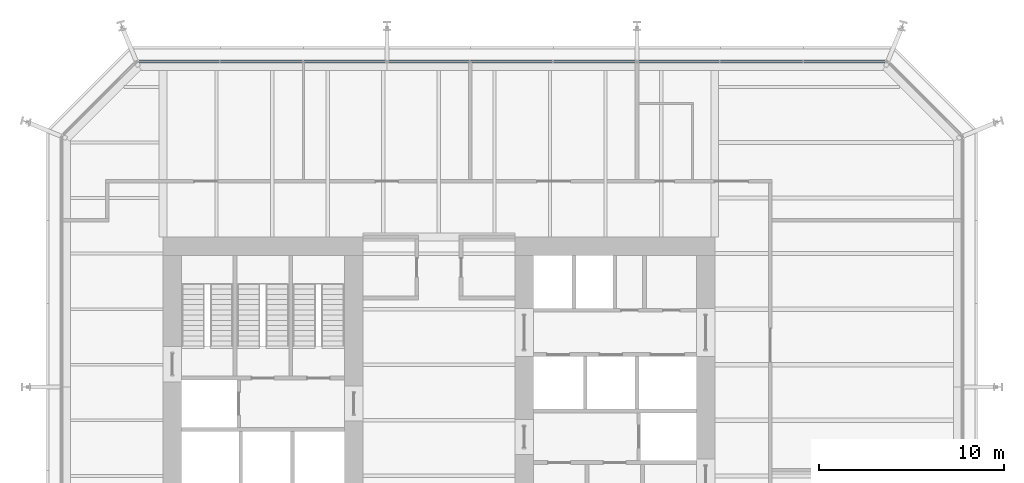
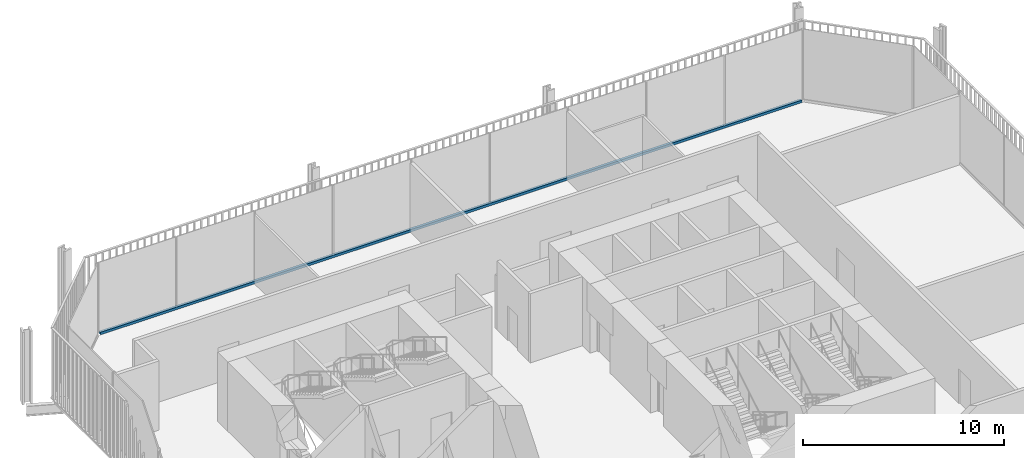
# One storey, part 13 of 20: 1 member, 1 element without a shape of its own.
"""IFC4 building model written with IfcOpenShell, lengths in metres."""

from ifc_helpers import new_model, si_unit, direction, frame, origin, origin_2d, place, context, subcontext, project, spatial, rectangle, extrude, material, layer, layer_set, material_profile, profile_set, type_object, element, aggregate, save


model = new_model("IFC4")

# Units and contexts
model_context = context("Model", 3, precision=1e-05, world=origin(), true_north=direction((0.0, 1.0)))
body_context = subcontext(model_context, "Body", "Model", "MODEL_VIEW")
ifc_project = project(units=[si_unit("LENGTHUNIT", "METRE"), si_unit("AREAUNIT", "SQUARE_METRE"), si_unit("VOLUMEUNIT", "CUBIC_METRE"), si_unit("PLANEANGLEUNIT", "RADIAN"), si_unit("MASSUNIT", "GRAM", prefix="KILO")], contexts=[model_context])

# Site, building, storey
site_placement = place(None, origin())
site = spatial("IfcSite", under=ifc_project, at=site_placement, CompositionType="ELEMENT")
building_placement = place(site_placement, origin())
building = spatial("IfcBuilding", under=site, at=building_placement, Name="Millrace Tower", CompositionType="ELEMENT")
storey_placement = place(building_placement, frame((0.0, 0.0, 77.60009765625)))
storey = spatial("IfcBuildingStorey", under=building, at=storey_placement, Name="L17", CompositionType="ELEMENT", Elevation=77.60009765625)

# Curtain wall, member
ifc_material_1 = material(Name="Aluminium and glass", Category="aluminium")
ifc_layer = layer(ifc_material_1, 0.14990234375)
ifc_layer_set = layer_set([ifc_layer], Name="Aluminium and glass")
curtain_wall_type = type_object("IfcCurtainWallType", Name="CW-3 telecom floor curtain wall", PredefinedType="NOTDEFINED", material=ifc_layer_set)
curtain_wall_placement = place(storey_placement, origin())
curtain_wall = element("IfcCurtainWall", 1, at=curtain_wall_placement, inside=storey, type_object=curtain_wall_type, Name="Curtain wall B-F06 L17", PredefinedType="NOTDEFINED")
ifc_material_2 = material(Name="Aluminium", Category="aluminium")
ifc_material_profile = material_profile(ifc_material_2, rectangle(XDim=0.14990234375, YDim=0.14990234375, at=origin_2d()))
ifc_profile_set = profile_set([ifc_material_profile], Name="Aluminium")
member_type = type_object("IfcMemberType", Name="CW-3 telecom floor curtain wall transom", PredefinedType="USERDEFINED", material=ifc_profile_set)
member_placement = place(storey_placement, frame((24.10009765625, 19.375, 0.074951171875), z_axis=(-1.0, 0.0, 0.0), x_axis=(0.0, -1.0, 0.0)))
member = element("IfcMember", 2, at=member_placement, type_object=member_type, Name="CW3 transom B-F06.1", ObjectType="TRANSOM", PredefinedType="USERDEFINED", context=body_context, shape_type="SweptSolid", body=[
    extrude(rectangle(XDim=0.14990234375, YDim=0.14990234375, at=origin_2d()), origin(), (0.0, 0.0, 1.0), 40.300048828125),
])
aggregate(curtain_wall, [member])

save(model, "model.ifc")
